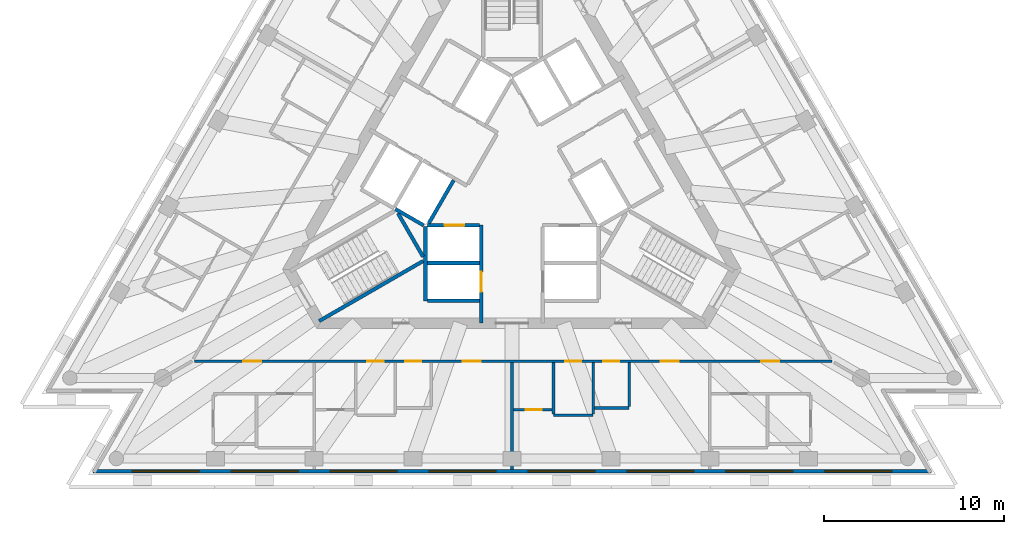
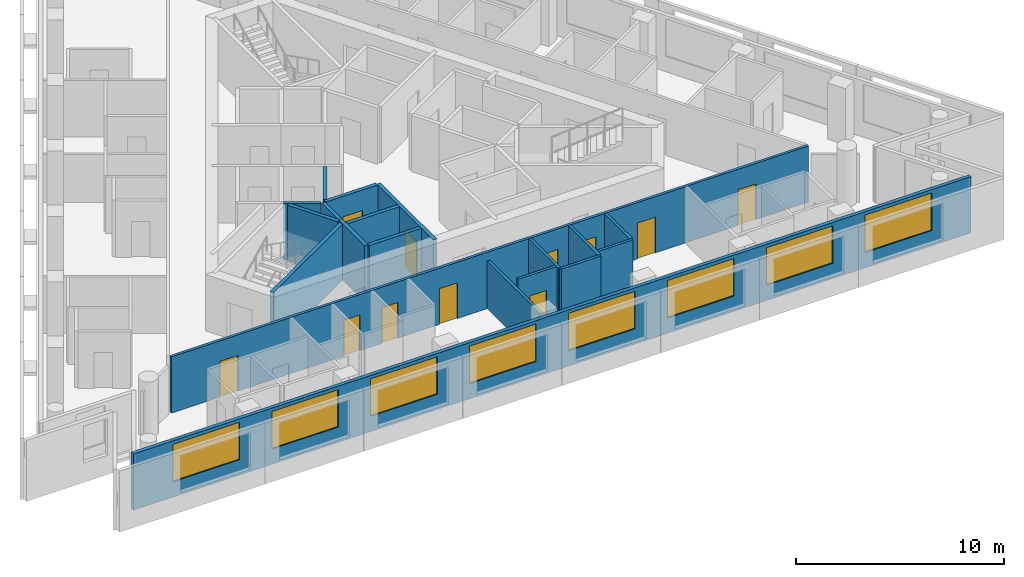
# One storey, part 3 of 9: 18 walls, 11 doors, 8 windows, 19 openings.
"""IFC4 building model written with IfcOpenShell, lengths in metres."""

from ifc_helpers import new_model, si_unit, direction, frame, frame_2d, origin, place, context, subcontext, project, spatial, rectangle, extrude, material, layer, layer_set, layer_usage, type_object, element, fill, save


model = new_model("IFC4")

# Units and contexts
model_context = context("Model", 3, precision=1e-05, world=origin(), true_north=direction((0.0, 1.0)))
body_context = subcontext(model_context, "Body", "Model", "MODEL_VIEW")
ifc_project = project(units=[si_unit("LENGTHUNIT", "METRE"), si_unit("AREAUNIT", "SQUARE_METRE"), si_unit("VOLUMEUNIT", "CUBIC_METRE"), si_unit("PLANEANGLEUNIT", "RADIAN"), si_unit("MASSUNIT", "GRAM", prefix="KILO")], contexts=[model_context])

# Site, building, storey
site_placement = place(None, origin())
site = spatial("IfcSite", under=ifc_project, at=site_placement, CompositionType="ELEMENT")
building_placement = place(site_placement, origin())
building = spatial("IfcBuilding", under=site, at=building_placement, Name="Triada Interchange Tower", CompositionType="ELEMENT")
storey_placement = place(building_placement, frame((0.0, 0.0, 286.300048828125)))
storey = spatial("IfcBuildingStorey", under=building, at=storey_placement, Name="L67", CompositionType="ELEMENT", Elevation=286.300048828125)

# Walls
ifc_material_1 = material(Name="Concrete C30/37", Category="concrete")
ifc_layer_1 = layer(ifc_material_1, 0.199951171875)
ifc_layer_set_1 = layer_set([ifc_layer_1], Name="CORE WALL 200 EI 120")
wall_type_1 = type_object("IfcWallType", Name="CORE WALL 200 EI 120", PredefinedType="SOLIDWALL", material=ifc_layer_set_1)
wall_1_placement = place(storey_placement, frame((-4.699951171875, -4.800048828125, 0.0), z_axis=(0.0, 0.0, 1.0), x_axis=(1.0, 0.0, 0.0)))
element("IfcWall", 1, at=wall_1_placement, inside=storey, type_object=wall_type_1, Name="Wall L65 72", PredefinedType="SOLIDWALL", context=body_context, shape_type="SweptSolid", body=[
    extrude(rectangle(XDim=2.89990234375, YDim=0.199951171875, at=frame_2d((1.449951171875, 0.0))), origin(), (0.0, 0.0, 1.0), 3.300048828125),
])
wall_2_placement = place(storey_placement, frame((-4.800048828125, -6.89990234375, 0.0), z_axis=(0.0, 0.0, 1.0), x_axis=(0.0, 1.0, 0.0)))
element("IfcWall", 2, at=wall_2_placement, inside=storey, type_object=wall_type_1, Name="Wall L65 74", PredefinedType="SOLIDWALL", context=body_context, shape_type="SweptSolid", body=[
    extrude(rectangle(XDim=4.130859375, YDim=0.199951171875, at=frame_2d((2.0654296875, 0.0))), origin(), (0.0, 0.0, 1.0), 3.300048828125),
])
wall_3_placement = place(storey_placement, frame((-4.699951171875, -6.89990234375, 0.0), z_axis=(0.0, 0.0, 1.0), x_axis=(1.0, 0.0, 0.0)))
element("IfcWall", 3, at=wall_3_placement, inside=storey, type_object=wall_type_1, Name="Wall L65 75", PredefinedType="SOLIDWALL", context=body_context, shape_type="SweptSolid", body=[
    extrude(rectangle(XDim=2.89990234375, YDim=0.199951171875, at=frame_2d((1.449951171875, 0.0))), origin(), (0.0, 0.0, 1.0), 3.300048828125),
])

# Wall, opening, door
wall_4_placement = place(storey_placement, frame((-1.699951171875, -8.1298828125, 0.0), z_axis=(0.0, 0.0, 1.0), x_axis=(0.0, 1.0, 0.0)))
wall_4 = element("IfcWall", 4, at=wall_4_placement, inside=storey, type_object=wall_type_1, Name="Wall L65 77", PredefinedType="SOLIDWALL", context=body_context, shape_type="SweptSolid", body=[
    extrude(rectangle(XDim=5.427001953125, YDim=0.199951171875, at=frame_2d((2.71337890625, 0.0))), origin(), (0.0, 0.0, 1.0), 3.300048828125),
])
opening_1_placement = place(wall_4_placement, frame((1.72998046875, 0.0, 0.0)))
opening_1 = element("IfcOpeningElement", 5, at=opening_1_placement, cuts=wall_4, Name="Opening LD-HR4", PredefinedType="OPENING", context=body_context, shape_type="SweptSolid", body=[
    extrude(rectangle(XDim=1.10009765625, YDim=2.10009765625, at=frame_2d((0.550048828125, 1.050048828125))), frame((0.0, 0.10986328125, 0.0), z_axis=(0.0, -1.0, 0.0), x_axis=(1.0, 0.0, 0.0)), (0.0, 0.0, 1.0), 0.219970703125),
])
ifc_material_2 = material(Name="Steel S235 door leaf", Category="steel")
door_type_1 = type_object("IfcDoorType", Name="LIFT LANDING DOOR 1100 EI 120", OperationType="SLIDING_TO_LEFT", PredefinedType="DOOR", material=ifc_material_2)
door_1_placement = place(opening_1_placement, origin())
door_1 = element("IfcDoor", 6, at=door_1_placement, inside=storey, type_object=door_type_1, Name="HR4 landing door L67", OperationType="SLIDING_TO_LEFT", OverallHeight=2.10009765625, OverallWidth=1.10009765625, PredefinedType="DOOR", context=body_context, shape_type="SweptSolid", body=[
    extrude(rectangle(XDim=1.10009765625, YDim=2.10009765625, at=frame_2d((0.550048828125, 1.050048828125))), frame((0.0, 0.02490234375, 0.0), z_axis=(0.0, -1.0, 0.0), x_axis=(1.0, 0.0, 0.0)), (0.0, 0.0, 1.0), 0.050048828125),
])
fill(opening_1, door_1)

wall_5_placement = place(storey_placement, frame((-4.676025390625, -2.699951171875, 0.0), z_axis=(0.0, 0.0, 1.0), x_axis=(1.0, 0.0, 0.0)))
wall_5 = element("IfcWall", 7, at=wall_5_placement, inside=storey, type_object=wall_type_1, Name="Wall L65 78", PredefinedType="SOLIDWALL", context=body_context, shape_type="SweptSolid", body=[
    extrude(rectangle(XDim=2.873046875, YDim=0.199951171875, at=frame_2d((1.4365234375, 0.0))), origin(), (0.0, 0.0, 1.0), 3.300048828125),
])
opening_2_placement = place(wall_5_placement, frame((0.93701171875, 0.0, 0.0)))
opening_2 = element("IfcOpeningElement", 8, at=opening_2_placement, cuts=wall_5, Name="Opening LD-HR3", PredefinedType="OPENING", context=body_context, shape_type="SweptSolid", body=[
    extrude(rectangle(XDim=1.10009765625, YDim=2.10009765625, at=frame_2d((0.550048828125, 1.050048828125))), frame((0.0, 0.10986328125, 0.0), z_axis=(0.0, -1.0, 0.0), x_axis=(1.0, 0.0, 0.0)), (0.0, 0.0, 1.0), 0.219970703125),
])
door_2_placement = place(opening_2_placement, origin())
door_2 = element("IfcDoor", 9, at=door_2_placement, inside=storey, type_object=door_type_1, Name="HR3 landing door L67", OperationType="SLIDING_TO_LEFT", OverallHeight=2.10009765625, OverallWidth=1.10009765625, PredefinedType="DOOR", context=body_context, shape_type="SweptSolid", body=[
    extrude(rectangle(XDim=1.10009765625, YDim=2.10009765625, at=frame_2d((0.550048828125, 1.050048828125))), frame((0.0, 0.02490234375, 0.0), z_axis=(0.0, -1.0, 0.0), x_axis=(1.0, 0.0, 0.0)), (0.0, 0.0, 1.0), 0.050048828125),
])
fill(opening_2, door_2)

# Walls
ifc_layer_2 = layer(ifc_material_1, 0.199951171875)
ifc_layer_set_2 = layer_set([ifc_layer_2], Name="CORE WALL 200 EI 180")
wall_type_2 = type_object("IfcWallType", Name="CORE WALL 200 EI 180", PredefinedType="SOLIDWALL", material=ifc_layer_set_2)
wall_6_placement = place(storey_placement, frame((-6.469970703125, -1.806884765625, 0.0), z_axis=(0.0, 0.0, 1.0), x_axis=(0.865883195159, -0.500246231712, 0.0)))
element("IfcWall", 10, at=wall_6_placement, inside=storey, type_object=wall_type_2, Name="Shaft wall FF1 L65 103", PredefinedType="SOLIDWALL", context=body_context, shape_type="SweptSolid", body=[
    extrude(rectangle(XDim=1.8154296875, YDim=0.199951171875, at=frame_2d((0.90771484375, 0.0))), origin(), (0.0, 0.0, 1.0), 3.300048828125),
])
wall_7_placement = place(storey_placement, frame((-4.618896484375, -2.60009765625, 0.0), z_axis=(0.0, 0.0, 1.0), x_axis=(0.50009492287, 0.865970593103, 0.0)))
element("IfcWall", 11, at=wall_7_placement, inside=storey, type_object=wall_type_2, Name="Shaft wall FF1 L65 105", PredefinedType="SOLIDWALL", context=body_context, shape_type="SweptSolid", body=[
    extrude(rectangle(XDim=2.76123046875, YDim=0.199951171875, at=frame_2d((1.380615234375, 0.0))), origin(), (0.0, 0.0, 1.0), 3.300048828125),
])
ifc_layer_3 = layer(ifc_material_1, 0.199951171875)
ifc_layer_set_3 = layer_set([ifc_layer_3], Name="CORE WALL 200 REI 240")
wall_type_3 = type_object("IfcWallType", Name="CORE WALL 200 REI 240", PredefinedType="SOLIDWALL", material=ifc_layer_set_3)
wall_8_placement = place(storey_placement, frame((-6.3291015625, -2.0380859375, 0.0), z_axis=(0.0, 0.0, 1.0), x_axis=(0.500200581029, -0.865909567298, 0.0)))
element("IfcWall", 12, at=wall_8_placement, inside=storey, type_object=wall_type_3, Name="Wall L65 116", PredefinedType="SOLIDWALL", context=body_context, shape_type="SweptSolid", body=[
    extrude(rectangle(XDim=2.799072265625, YDim=0.199951171875, at=frame_2d((1.3994140625, 0.0))), origin(), (0.0, 0.0, 1.0), 3.300048828125),
])
wall_9_placement = place(storey_placement, frame((-10.700927734375, -8.02587890625, 0.0), z_axis=(0.0, 0.0, 1.0), x_axis=(0.866005022404, 0.500035299925, 0.0)))
element("IfcWall", 13, at=wall_9_placement, inside=storey, type_object=wall_type_3, Name="Wall L65 117", PredefinedType="SOLIDWALL", context=body_context, shape_type="SweptSolid", body=[
    extrude(rectangle(XDim=6.6650390625, YDim=0.199951171875, at=frame_2d((3.33251953125, 0.0))), origin(), (0.0, 0.0, 1.0), 3.300048828125),
])

# Wall, openings, windows
ifc_material_3 = material(Name="Cement board")
ifc_layer_4 = layer(ifc_material_3, 0.02001953125, Name="Cement board cladding")
ifc_material_4 = material(Name="Sheathing board")
ifc_layer_5 = layer(ifc_material_4, 0.014892578125, Name="Sheathing board")
ifc_material_5 = material(Name="Mineral wool")
ifc_layer_6 = layer(ifc_material_5, 0.14990234375, Name="Mineral wool between steel studs")
ifc_material_6 = material(Name="Gypsum board")
ifc_layer_7 = layer(ifc_material_6, 0.014892578125, Name="Plasterboard lining")
ifc_layer_set_4 = layer_set([ifc_layer_4, ifc_layer_5, ifc_layer_6, ifc_layer_7], Name="External wall 200")
ifc_layer_usage = layer_usage(ifc_layer_set_4, "AXIS2", "POSITIVE", -0.10009765625)
wall_type_4 = type_object("IfcWallType", Name="External wall 200", PredefinedType="ELEMENTEDWALL", material=ifc_layer_set_4)
wall_10_placement = place(storey_placement, frame((-23.2548828125, -16.35400390625, 0.0), z_axis=(0.0, 0.0, 1.0), x_axis=(1.0, 0.0, 0.0)))
wall_10 = element("IfcWall", 14, at=wall_10_placement, inside=storey, type_object=wall_type_4, material=ifc_layer_usage, Name="External wall L67 S", PredefinedType="ELEMENTEDWALL", context=body_context, shape_type="SweptSolid", body=[
    extrude(rectangle(XDim=46.489990234375, YDim=0.199951171875, at=frame_2d((23.2451171875, 0.0))), origin(), (0.0, 0.0, 1.0), 3.300048828125),
])
opening_3_placement = place(wall_10_placement, frame((2.197021484375, 0.0, 0.89990234375)))
opening_3 = element("IfcOpeningElement", 15, at=opening_3_placement, cuts=wall_10, Name="Opening WD11", PredefinedType="OPENING", context=body_context, shape_type="SweptSolid", body=[
    extrude(rectangle(XDim=3.699951171875, YDim=2.199951171875, at=frame_2d((1.85009765625, 1.10009765625))), frame((0.0, 0.10986328125, 0.0), z_axis=(0.0, -1.0, 0.0), x_axis=(1.0, 0.0, 0.0)), (0.0, 0.0, 1.0), 0.219970703125),
])
opening_4_placement = place(wall_10_placement, frame((7.68505859375, 0.0, 0.89990234375)))
opening_4 = element("IfcOpeningElement", 16, at=opening_4_placement, cuts=wall_10, Name="Opening WD12", PredefinedType="OPENING", context=body_context, shape_type="SweptSolid", body=[
    extrude(rectangle(XDim=3.699951171875, YDim=2.199951171875, at=frame_2d((1.85009765625, 1.10009765625))), frame((0.0, 0.10986328125, 0.0), z_axis=(0.0, -1.0, 0.0), x_axis=(1.0, 0.0, 0.0)), (0.0, 0.0, 1.0), 0.219970703125),
])
opening_5_placement = place(wall_10_placement, frame((13.173095703125, 0.0, 0.89990234375)))
opening_5 = element("IfcOpeningElement", 17, at=opening_5_placement, cuts=wall_10, Name="Opening WD13", PredefinedType="OPENING", context=body_context, shape_type="SweptSolid", body=[
    extrude(rectangle(XDim=3.699951171875, YDim=2.199951171875, at=frame_2d((1.85009765625, 1.10009765625))), frame((0.0, 0.10986328125, 0.0), z_axis=(0.0, -1.0, 0.0), x_axis=(1.0, 0.0, 0.0)), (0.0, 0.0, 1.0), 0.219970703125),
])
opening_6_placement = place(wall_10_placement, frame((18.660888671875, 0.0, 0.89990234375)))
opening_6 = element("IfcOpeningElement", 18, at=opening_6_placement, cuts=wall_10, Name="Opening WD14", PredefinedType="OPENING", context=body_context, shape_type="SweptSolid", body=[
    extrude(rectangle(XDim=3.699951171875, YDim=2.199951171875, at=frame_2d((1.85009765625, 1.10009765625))), frame((0.0, 0.10986328125, 0.0), z_axis=(0.0, -1.0, 0.0), x_axis=(1.0, 0.0, 0.0)), (0.0, 0.0, 1.0), 0.219970703125),
])
opening_7_placement = place(wall_10_placement, frame((24.14892578125, 0.0, 0.89990234375)))
opening_7 = element("IfcOpeningElement", 19, at=opening_7_placement, cuts=wall_10, Name="Opening WD15", PredefinedType="OPENING", context=body_context, shape_type="SweptSolid", body=[
    extrude(rectangle(XDim=3.699951171875, YDim=2.199951171875, at=frame_2d((1.85009765625, 1.10009765625))), frame((0.0, 0.10986328125, 0.0), z_axis=(0.0, -1.0, 0.0), x_axis=(1.0, 0.0, 0.0)), (0.0, 0.0, 1.0), 0.219970703125),
])
opening_8_placement = place(wall_10_placement, frame((29.636962890625, 0.0, 0.89990234375)))
opening_8 = element("IfcOpeningElement", 20, at=opening_8_placement, cuts=wall_10, Name="Opening WD16", PredefinedType="OPENING", context=body_context, shape_type="SweptSolid", body=[
    extrude(rectangle(XDim=3.699951171875, YDim=2.199951171875, at=frame_2d((1.85009765625, 1.10009765625))), frame((0.0, 0.10986328125, 0.0), z_axis=(0.0, -1.0, 0.0), x_axis=(1.0, 0.0, 0.0)), (0.0, 0.0, 1.0), 0.219970703125),
])
opening_9_placement = place(wall_10_placement, frame((35.125, 0.0, 0.89990234375)))
opening_9 = element("IfcOpeningElement", 21, at=opening_9_placement, cuts=wall_10, Name="Opening WD17", PredefinedType="OPENING", context=body_context, shape_type="SweptSolid", body=[
    extrude(rectangle(XDim=3.699951171875, YDim=2.199951171875, at=frame_2d((1.85009765625, 1.10009765625))), frame((0.0, 0.10986328125, 0.0), z_axis=(0.0, -1.0, 0.0), x_axis=(1.0, 0.0, 0.0)), (0.0, 0.0, 1.0), 0.219970703125),
])
opening_10_placement = place(wall_10_placement, frame((40.613037109375, 0.0, 0.89990234375)))
opening_10 = element("IfcOpeningElement", 22, at=opening_10_placement, cuts=wall_10, Name="Opening WD18", PredefinedType="OPENING", context=body_context, shape_type="SweptSolid", body=[
    extrude(rectangle(XDim=3.699951171875, YDim=2.199951171875, at=frame_2d((1.85009765625, 1.10009765625))), frame((0.0, 0.10986328125, 0.0), z_axis=(0.0, -1.0, 0.0), x_axis=(1.0, 0.0, 0.0)), (0.0, 0.0, 1.0), 0.219970703125),
])
ifc_material_7 = material(Name="Double glazed aluminium window", Category="aluminium")
window_type = type_object("IfcWindowType", Name="Ribbon window D face", PartitioningType="SINGLE_PANEL", PredefinedType="WINDOW", material=ifc_material_7)
window_1_placement = place(opening_3_placement, origin())
window_1 = element("IfcWindow", 23, at=window_1_placement, inside=storey, type_object=window_type, Name="Window L67 S 1", OverallHeight=2.199951171875, OverallWidth=3.699951171875, PartitioningType="SINGLE_PANEL", PredefinedType="WINDOW", context=body_context, shape_type="SweptSolid", body=[
    extrude(rectangle(XDim=3.699951171875, YDim=2.199951171875, at=frame_2d((1.85009765625, 1.10009765625))), frame((0.0, 0.030029296875, 0.0), z_axis=(0.0, -1.0, 0.0), x_axis=(1.0, 0.0, 0.0)), (0.0, 0.0, 1.0), 0.06005859375),
])
fill(opening_3, window_1)
window_2_placement = place(opening_4_placement, origin())
window_2 = element("IfcWindow", 24, at=window_2_placement, inside=storey, type_object=window_type, Name="Window L67 S 2", OverallHeight=2.199951171875, OverallWidth=3.699951171875, PartitioningType="SINGLE_PANEL", PredefinedType="WINDOW", context=body_context, shape_type="SweptSolid", body=[
    extrude(rectangle(XDim=3.699951171875, YDim=2.199951171875, at=frame_2d((1.85009765625, 1.10009765625))), frame((0.0, 0.030029296875, 0.0), z_axis=(0.0, -1.0, 0.0), x_axis=(1.0, 0.0, 0.0)), (0.0, 0.0, 1.0), 0.06005859375),
])
fill(opening_4, window_2)
window_3_placement = place(opening_5_placement, origin())
window_3 = element("IfcWindow", 25, at=window_3_placement, inside=storey, type_object=window_type, Name="Window L67 S 3", OverallHeight=2.199951171875, OverallWidth=3.699951171875, PartitioningType="SINGLE_PANEL", PredefinedType="WINDOW", context=body_context, shape_type="SweptSolid", body=[
    extrude(rectangle(XDim=3.699951171875, YDim=2.199951171875, at=frame_2d((1.85009765625, 1.10009765625))), frame((0.0, 0.030029296875, 0.0), z_axis=(0.0, -1.0, 0.0), x_axis=(1.0, 0.0, 0.0)), (0.0, 0.0, 1.0), 0.06005859375),
])
fill(opening_5, window_3)
window_4_placement = place(opening_6_placement, origin())
window_4 = element("IfcWindow", 26, at=window_4_placement, inside=storey, type_object=window_type, Name="Window L67 S 4", OverallHeight=2.199951171875, OverallWidth=3.699951171875, PartitioningType="SINGLE_PANEL", PredefinedType="WINDOW", context=body_context, shape_type="SweptSolid", body=[
    extrude(rectangle(XDim=3.699951171875, YDim=2.199951171875, at=frame_2d((1.85009765625, 1.10009765625))), frame((0.0, 0.030029296875, 0.0), z_axis=(0.0, -1.0, 0.0), x_axis=(1.0, 0.0, 0.0)), (0.0, 0.0, 1.0), 0.06005859375),
])
fill(opening_6, window_4)
window_5_placement = place(opening_7_placement, origin())
window_5 = element("IfcWindow", 27, at=window_5_placement, inside=storey, type_object=window_type, Name="Window L67 S 5", OverallHeight=2.199951171875, OverallWidth=3.699951171875, PartitioningType="SINGLE_PANEL", PredefinedType="WINDOW", context=body_context, shape_type="SweptSolid", body=[
    extrude(rectangle(XDim=3.699951171875, YDim=2.199951171875, at=frame_2d((1.85009765625, 1.10009765625))), frame((0.0, 0.030029296875, 0.0), z_axis=(0.0, -1.0, 0.0), x_axis=(1.0, 0.0, 0.0)), (0.0, 0.0, 1.0), 0.06005859375),
])
fill(opening_7, window_5)
window_6_placement = place(opening_8_placement, origin())
window_6 = element("IfcWindow", 28, at=window_6_placement, inside=storey, type_object=window_type, Name="Window L67 S 6", OverallHeight=2.199951171875, OverallWidth=3.699951171875, PartitioningType="SINGLE_PANEL", PredefinedType="WINDOW", context=body_context, shape_type="SweptSolid", body=[
    extrude(rectangle(XDim=3.699951171875, YDim=2.199951171875, at=frame_2d((1.85009765625, 1.10009765625))), frame((0.0, 0.030029296875, 0.0), z_axis=(0.0, -1.0, 0.0), x_axis=(1.0, 0.0, 0.0)), (0.0, 0.0, 1.0), 0.06005859375),
])
fill(opening_8, window_6)
window_7_placement = place(opening_9_placement, origin())
window_7 = element("IfcWindow", 29, at=window_7_placement, inside=storey, type_object=window_type, Name="Window L67 S 7", OverallHeight=2.199951171875, OverallWidth=3.699951171875, PartitioningType="SINGLE_PANEL", PredefinedType="WINDOW", context=body_context, shape_type="SweptSolid", body=[
    extrude(rectangle(XDim=3.699951171875, YDim=2.199951171875, at=frame_2d((1.85009765625, 1.10009765625))), frame((0.0, 0.030029296875, 0.0), z_axis=(0.0, -1.0, 0.0), x_axis=(1.0, 0.0, 0.0)), (0.0, 0.0, 1.0), 0.06005859375),
])
fill(opening_9, window_7)
window_8_placement = place(opening_10_placement, origin())
window_8 = element("IfcWindow", 30, at=window_8_placement, inside=storey, type_object=window_type, Name="Window L67 S 8", OverallHeight=2.199951171875, OverallWidth=3.699951171875, PartitioningType="SINGLE_PANEL", PredefinedType="WINDOW", context=body_context, shape_type="SweptSolid", body=[
    extrude(rectangle(XDim=3.699951171875, YDim=2.199951171875, at=frame_2d((1.85009765625, 1.10009765625))), frame((0.0, 0.030029296875, 0.0), z_axis=(0.0, -1.0, 0.0), x_axis=(1.0, 0.0, 0.0)), (0.0, 0.0, 1.0), 0.06005859375),
])
fill(opening_10, window_8)

# Wall, openings, doors
ifc_material_8 = material(Name="Gypsum board partition")
ifc_layer_8 = layer(ifc_material_8, 0.14990234375)
ifc_layer_set_5 = layer_set([ifc_layer_8], Name="PARTITION 150 EI 180")
wall_type_5 = type_object("IfcWallType", Name="PARTITION 150 EI 180", PredefinedType="PARTITIONING", material=ifc_layer_set_5)
wall_11_placement = place(storey_placement, frame((-17.60400390625, -10.25, 0.0), z_axis=(0.0, 0.0, 1.0), x_axis=(1.0, 0.0, 0.0)))
wall_11 = element("IfcWall", 31, at=wall_11_placement, inside=storey, type_object=wall_type_5, Name="Wall L65 5", PredefinedType="PARTITIONING", context=body_context, shape_type="SweptSolid", body=[
    extrude(rectangle(XDim=35.35791015625, YDim=0.14990234375, at=frame_2d((17.678955078125, 0.0))), origin(), (0.0, 0.0, 1.0), 3.300048828125),
])
opening_11_placement = place(wall_11_placement, frame((2.699951171875, 0.0, 0.0)))
opening_11 = element("IfcOpeningElement", 32, at=opening_11_placement, cuts=wall_11, Name="Opening D65-11", PredefinedType="OPENING", context=body_context, shape_type="SweptSolid", body=[
    extrude(rectangle(XDim=1.0, YDim=2.10009765625, at=frame_2d((0.5, 1.050048828125))), frame((0.0, 0.0849609375, 0.0), z_axis=(0.0, -1.0, 0.0), x_axis=(1.0, 0.0, 0.0)), (0.0, 0.0, 1.0), 0.169921875),
])
opening_12_placement = place(wall_11_placement, frame((14.8779296875, 0.0, 0.0)))
opening_12 = element("IfcOpeningElement", 33, at=opening_12_placement, cuts=wall_11, Name="Opening D65-14", PredefinedType="OPENING", context=body_context, shape_type="SweptSolid", body=[
    extrude(rectangle(XDim=1.0, YDim=2.10009765625, at=frame_2d((0.5, 1.050048828125))), frame((0.0, 0.0849609375, 0.0), z_axis=(0.0, -1.0, 0.0), x_axis=(1.0, 0.0, 0.0)), (0.0, 0.0, 1.0), 0.169921875),
])
opening_13_placement = place(wall_11_placement, frame((9.577880859375, 0.0, 0.0)))
opening_13 = element("IfcOpeningElement", 34, at=opening_13_placement, cuts=wall_11, Name="Opening D65-16", PredefinedType="OPENING", context=body_context, shape_type="SweptSolid", body=[
    extrude(rectangle(XDim=0.89990234375, YDim=2.10009765625, at=frame_2d((0.449951171875, 1.050048828125))), frame((0.0, 0.0849609375, 0.0), z_axis=(0.0, -1.0, 0.0), x_axis=(1.0, 0.0, 0.0)), (0.0, 0.0, 1.0), 0.169921875),
])
opening_14_placement = place(wall_11_placement, frame((11.677978515625, 0.0, 0.0)))
opening_14 = element("IfcOpeningElement", 35, at=opening_14_placement, cuts=wall_11, Name="Opening D65-17", PredefinedType="OPENING", context=body_context, shape_type="SweptSolid", body=[
    extrude(rectangle(XDim=0.89990234375, YDim=2.10009765625, at=frame_2d((0.449951171875, 1.050048828125))), frame((0.0, 0.0849609375, 0.0), z_axis=(0.0, -1.0, 0.0), x_axis=(1.0, 0.0, 0.0)), (0.0, 0.0, 1.0), 0.169921875),
])
opening_15_placement = place(wall_11_placement, frame((25.85400390625, 0.0, 0.0)))
opening_15 = element("IfcOpeningElement", 36, at=opening_15_placement, cuts=wall_11, Name="Opening D65-18", PredefinedType="OPENING", context=body_context, shape_type="SweptSolid", body=[
    extrude(rectangle(XDim=1.0, YDim=2.10009765625, at=frame_2d((0.5, 1.050048828125))), frame((0.0, 0.0849609375, 0.0), z_axis=(0.0, -1.0, 0.0), x_axis=(1.0, 0.0, 0.0)), (0.0, 0.0, 1.0), 0.169921875),
])
opening_16_placement = place(wall_11_placement, frame((20.553955078125, 0.0, 0.0)))
opening_16 = element("IfcOpeningElement", 37, at=opening_16_placement, cuts=wall_11, Name="Opening D65-20", PredefinedType="OPENING", context=body_context, shape_type="SweptSolid", body=[
    extrude(rectangle(XDim=0.89990234375, YDim=2.10009765625, at=frame_2d((0.449951171875, 1.050048828125))), frame((0.0, 0.0849609375, 0.0), z_axis=(0.0, -1.0, 0.0), x_axis=(1.0, 0.0, 0.0)), (0.0, 0.0, 1.0), 0.169921875),
])
opening_17_placement = place(wall_11_placement, frame((22.654052734375, 0.0, 0.0)))
opening_17 = element("IfcOpeningElement", 38, at=opening_17_placement, cuts=wall_11, Name="Opening D65-21", PredefinedType="OPENING", context=body_context, shape_type="SweptSolid", body=[
    extrude(rectangle(XDim=0.89990234375, YDim=2.10009765625, at=frame_2d((0.449951171875, 1.050048828125))), frame((0.0, 0.0849609375, 0.0), z_axis=(0.0, -1.0, 0.0), x_axis=(1.0, 0.0, 0.0)), (0.0, 0.0, 1.0), 0.169921875),
])
opening_18_placement = place(wall_11_placement, frame((31.429931640625, 0.0, 0.0)))
opening_18 = element("IfcOpeningElement", 39, at=opening_18_placement, cuts=wall_11, Name="Opening D65-22", PredefinedType="OPENING", context=body_context, shape_type="SweptSolid", body=[
    extrude(rectangle(XDim=1.0, YDim=2.10009765625, at=frame_2d((0.5, 1.050048828125))), frame((0.0, 0.0849609375, 0.0), z_axis=(0.0, -1.0, 0.0), x_axis=(1.0, 0.0, 0.0)), (0.0, 0.0, 1.0), 0.169921875),
])
door_type_2 = type_object("IfcDoorType", Name="GUEST ROOM DOOR 1000 EI2 90-C5S200", OperationType="NOTDEFINED", PredefinedType="DOOR", material=ifc_material_2)
door_3_placement = place(opening_11_placement, origin())
door_3 = element("IfcDoor", 40, at=door_3_placement, inside=storey, type_object=door_type_2, Name="Door D65-11 L67", OperationType="SINGLE_SWING_RIGHT", OverallHeight=2.10009765625, OverallWidth=1.0, PredefinedType="DOOR", context=body_context, shape_type="SweptSolid", body=[
    extrude(rectangle(XDim=1.0, YDim=2.10009765625, at=frame_2d((0.5, 1.050048828125))), frame((0.0, 0.02490234375, 0.0), z_axis=(0.0, -1.0, 0.0), x_axis=(1.0, 0.0, 0.0)), (0.0, 0.0, 1.0), 0.050048828125),
])
fill(opening_11, door_3)
door_4_placement = place(opening_12_placement, origin())
door_4 = element("IfcDoor", 41, at=door_4_placement, inside=storey, type_object=door_type_2, Name="Door D65-14 L67", OperationType="SINGLE_SWING_RIGHT", OverallHeight=2.10009765625, OverallWidth=1.0, PredefinedType="DOOR", context=body_context, shape_type="SweptSolid", body=[
    extrude(rectangle(XDim=1.0, YDim=2.10009765625, at=frame_2d((0.5, 1.050048828125))), frame((0.0, 0.02490234375, 0.0), z_axis=(0.0, -1.0, 0.0), x_axis=(1.0, 0.0, 0.0)), (0.0, 0.0, 1.0), 0.050048828125),
])
fill(opening_12, door_4)
door_5_placement = place(opening_15_placement, origin())
door_5 = element("IfcDoor", 42, at=door_5_placement, inside=storey, type_object=door_type_2, Name="Door D65-18 L67", OperationType="SINGLE_SWING_RIGHT", OverallHeight=2.10009765625, OverallWidth=1.0, PredefinedType="DOOR", context=body_context, shape_type="SweptSolid", body=[
    extrude(rectangle(XDim=1.0, YDim=2.10009765625, at=frame_2d((0.5, 1.050048828125))), frame((0.0, 0.02490234375, 0.0), z_axis=(0.0, -1.0, 0.0), x_axis=(1.0, 0.0, 0.0)), (0.0, 0.0, 1.0), 0.050048828125),
])
fill(opening_15, door_5)
door_6_placement = place(opening_18_placement, origin())
door_6 = element("IfcDoor", 43, at=door_6_placement, inside=storey, type_object=door_type_2, Name="Door D65-22 L67", OperationType="SINGLE_SWING_LEFT", OverallHeight=2.10009765625, OverallWidth=1.0, PredefinedType="DOOR", context=body_context, shape_type="SweptSolid", body=[
    extrude(rectangle(XDim=1.0, YDim=2.10009765625, at=frame_2d((0.5, 1.050048828125))), frame((0.0, 0.02490234375, 0.0), z_axis=(0.0, -1.0, 0.0), x_axis=(1.0, 0.0, 0.0)), (0.0, 0.0, 1.0), 0.050048828125),
])
fill(opening_18, door_6)
door_type_3 = type_object("IfcDoorType", Name="ROOM DOOR 900 EI2 90-C5S200", OperationType="NOTDEFINED", PredefinedType="DOOR", material=ifc_material_2)
door_7_placement = place(opening_14_placement, origin())
door_7 = element("IfcDoor", 44, at=door_7_placement, inside=storey, type_object=door_type_3, Name="Door D65-17 L67", OperationType="SINGLE_SWING_LEFT", OverallHeight=2.10009765625, OverallWidth=0.89990234375, PredefinedType="DOOR", context=body_context, shape_type="SweptSolid", body=[
    extrude(rectangle(XDim=0.89990234375, YDim=2.10009765625, at=frame_2d((0.449951171875, 1.050048828125))), frame((0.0, 0.02490234375, 0.0), z_axis=(0.0, -1.0, 0.0), x_axis=(1.0, 0.0, 0.0)), (0.0, 0.0, 1.0), 0.050048828125),
])
fill(opening_14, door_7)
door_8_placement = place(opening_17_placement, origin())
door_8 = element("IfcDoor", 45, at=door_8_placement, inside=storey, type_object=door_type_3, Name="Door D65-21 L67", OperationType="SINGLE_SWING_RIGHT", OverallHeight=2.10009765625, OverallWidth=0.89990234375, PredefinedType="DOOR", context=body_context, shape_type="SweptSolid", body=[
    extrude(rectangle(XDim=0.89990234375, YDim=2.10009765625, at=frame_2d((0.449951171875, 1.050048828125))), frame((0.0, 0.02490234375, 0.0), z_axis=(0.0, -1.0, 0.0), x_axis=(1.0, 0.0, 0.0)), (0.0, 0.0, 1.0), 0.050048828125),
])
fill(opening_17, door_8)
door_type_4 = type_object("IfcDoorType", Name="SERVICE DOOR 900 EI2 90-C5S200", OperationType="NOTDEFINED", PredefinedType="DOOR", material=ifc_material_2)
door_9_placement = place(opening_13_placement, origin())
door_9 = element("IfcDoor", 46, at=door_9_placement, inside=storey, type_object=door_type_4, Name="Door D65-16 L67", OperationType="SINGLE_SWING_RIGHT", OverallHeight=2.10009765625, OverallWidth=0.89990234375, PredefinedType="DOOR", context=body_context, shape_type="SweptSolid", body=[
    extrude(rectangle(XDim=0.89990234375, YDim=2.10009765625, at=frame_2d((0.449951171875, 1.050048828125))), frame((0.0, 0.02490234375, 0.0), z_axis=(0.0, -1.0, 0.0), x_axis=(1.0, 0.0, 0.0)), (0.0, 0.0, 1.0), 0.050048828125),
])
fill(opening_13, door_9)
door_10_placement = place(opening_16_placement, origin())
door_10 = element("IfcDoor", 47, at=door_10_placement, inside=storey, type_object=door_type_4, Name="Door D65-20 L67", OperationType="SINGLE_SWING_RIGHT", OverallHeight=2.10009765625, OverallWidth=0.89990234375, PredefinedType="DOOR", context=body_context, shape_type="SweptSolid", body=[
    extrude(rectangle(XDim=0.89990234375, YDim=2.10009765625, at=frame_2d((0.449951171875, 1.050048828125))), frame((0.0, 0.02490234375, 0.0), z_axis=(0.0, -1.0, 0.0), x_axis=(1.0, 0.0, 0.0)), (0.0, 0.0, 1.0), 0.050048828125),
])
fill(opening_16, door_10)

# Walls
wall_12_placement = place(storey_placement, frame((2.300048828125, -13.25, 0.0), z_axis=(0.0, 0.0, 1.0), x_axis=(1.0, 0.0, 0.0)))
element("IfcWall", 48, at=wall_12_placement, inside=storey, type_object=wall_type_5, Name="Wall L65 12", PredefinedType="PARTITIONING", context=body_context, shape_type="SweptSolid", body=[
    extrude(rectangle(XDim=2.199951171875, YDim=0.14990234375, at=frame_2d((1.10009765625, 0.0))), origin(), (0.0, 0.0, 1.0), 3.300048828125),
])
wall_13_placement = place(storey_placement, frame((4.574951171875, -12.85009765625, 0.0), z_axis=(0.0, 0.0, 1.0), x_axis=(1.0, 0.0, 0.0)))
element("IfcWall", 49, at=wall_13_placement, inside=storey, type_object=wall_type_5, Name="Wall L65 15", PredefinedType="PARTITIONING", context=body_context, shape_type="SweptSolid", body=[
    extrude(rectangle(XDim=1.925048828125, YDim=0.14990234375, at=frame_2d((0.96240234375, 0.0))), origin(), (0.0, 0.0, 1.0), 3.300048828125),
])
wall_14_placement = place(storey_placement, frame((0.0, -16.27392578125, 0.0), z_axis=(0.0, 0.0, 1.0), x_axis=(0.0, 1.0, 0.0)))
element("IfcWall", 50, at=wall_14_placement, inside=storey, type_object=wall_type_5, Name="Wall L65 17", PredefinedType="PARTITIONING", context=body_context, shape_type="SweptSolid", body=[
    extrude(rectangle(XDim=5.948974609375, YDim=0.14990234375, at=frame_2d((2.974609375, 0.0))), origin(), (0.0, 0.0, 1.0), 2.800048828125),
])
for number, where, z_axis, x_axis, name in (
    (51, (2.300048828125, -13.175048828125, 0.0), (0.0, 0.0, 1.0), (0.0, 1.0, 0.0), "Wall L65 20"),
    (52, (4.5, -13.175048828125, 0.0), (0.0, 0.0, 1.0), (0.0, 1.0, 0.0), "Wall L65 21"),
):
    element("IfcWall", number, at=place(storey_placement, frame(where, z_axis=z_axis, x_axis=x_axis)), inside=storey, type_object=wall_type_5, Name=name, PredefinedType="PARTITIONING", context=body_context, shape_type="SweptSolid", body=[
        extrude(rectangle(XDim=2.85009765625, YDim=0.14990234375, at=frame_2d((1.425048828125, 0.0))), origin(), (0.0, 0.0, 1.0), 3.300048828125),
    ])
wall_15_placement = place(storey_placement, frame((6.5, -12.77490234375, 0.0), z_axis=(0.0, 0.0, 1.0), x_axis=(0.0, 1.0, 0.0)))
element("IfcWall", 53, at=wall_15_placement, inside=storey, type_object=wall_type_5, Name="Wall L65 23", PredefinedType="PARTITIONING", context=body_context, shape_type="SweptSolid", body=[
    extrude(rectangle(XDim=2.449951171875, YDim=0.14990234375, at=frame_2d((1.22509765625, 0.0))), origin(), (0.0, 0.0, 1.0), 3.300048828125),
])

# Wall, opening, door
ifc_layer_9 = layer(ifc_material_8, 0.14990234375)
ifc_layer_set_6 = layer_set([ifc_layer_9], Name="PARTITION 150 EI 90")
wall_type_6 = type_object("IfcWallType", Name="PARTITION 150 EI 90", PredefinedType="PARTITIONING", material=ifc_layer_set_6)
wall_16_placement = place(storey_placement, frame((0.074951171875, -12.949951171875, 0.0), z_axis=(0.0, 0.0, 1.0), x_axis=(1.0, 0.0, 0.0)))
wall_16 = element("IfcWall", 54, at=wall_16_placement, inside=storey, type_object=wall_type_6, Name="Wall L65 52", PredefinedType="PARTITIONING", context=body_context, shape_type="SweptSolid", body=[
    extrude(rectangle(XDim=2.150146484375, YDim=0.14990234375, at=frame_2d((1.0751953125, 0.0))), origin(), (0.0, 0.0, 1.0), 3.300048828125),
])
opening_19_placement = place(wall_16_placement, frame((0.675048828125, 0.0, 0.0)))
opening_19 = element("IfcOpeningElement", 55, at=opening_19_placement, cuts=wall_16, Name="Opening D65-19", PredefinedType="OPENING", context=body_context, shape_type="SweptSolid", body=[
    extrude(rectangle(XDim=0.89990234375, YDim=2.10009765625, at=frame_2d((0.449951171875, 1.050048828125))), frame((0.0, 0.0849609375, 0.0), z_axis=(0.0, -1.0, 0.0), x_axis=(1.0, 0.0, 0.0)), (0.0, 0.0, 1.0), 0.169921875),
])
door_type_5 = type_object("IfcDoorType", Name="ROOM DOOR 900 EI2 45-C5S200", OperationType="NOTDEFINED", PredefinedType="DOOR", material=ifc_material_2)
door_11_placement = place(opening_19_placement, origin())
door_11 = element("IfcDoor", 56, at=door_11_placement, inside=storey, type_object=door_type_5, Name="Door D65-19 L67", OperationType="SINGLE_SWING_LEFT", OverallHeight=2.10009765625, OverallWidth=0.89990234375, PredefinedType="DOOR", context=body_context, shape_type="SweptSolid", body=[
    extrude(rectangle(XDim=0.89990234375, YDim=2.10009765625, at=frame_2d((0.449951171875, 1.050048828125))), frame((0.0, 0.02490234375, 0.0), z_axis=(0.0, -1.0, 0.0), x_axis=(1.0, 0.0, 0.0)), (0.0, 0.0, 1.0), 0.050048828125),
])
fill(opening_19, door_11)

save(model, "model.ifc")
